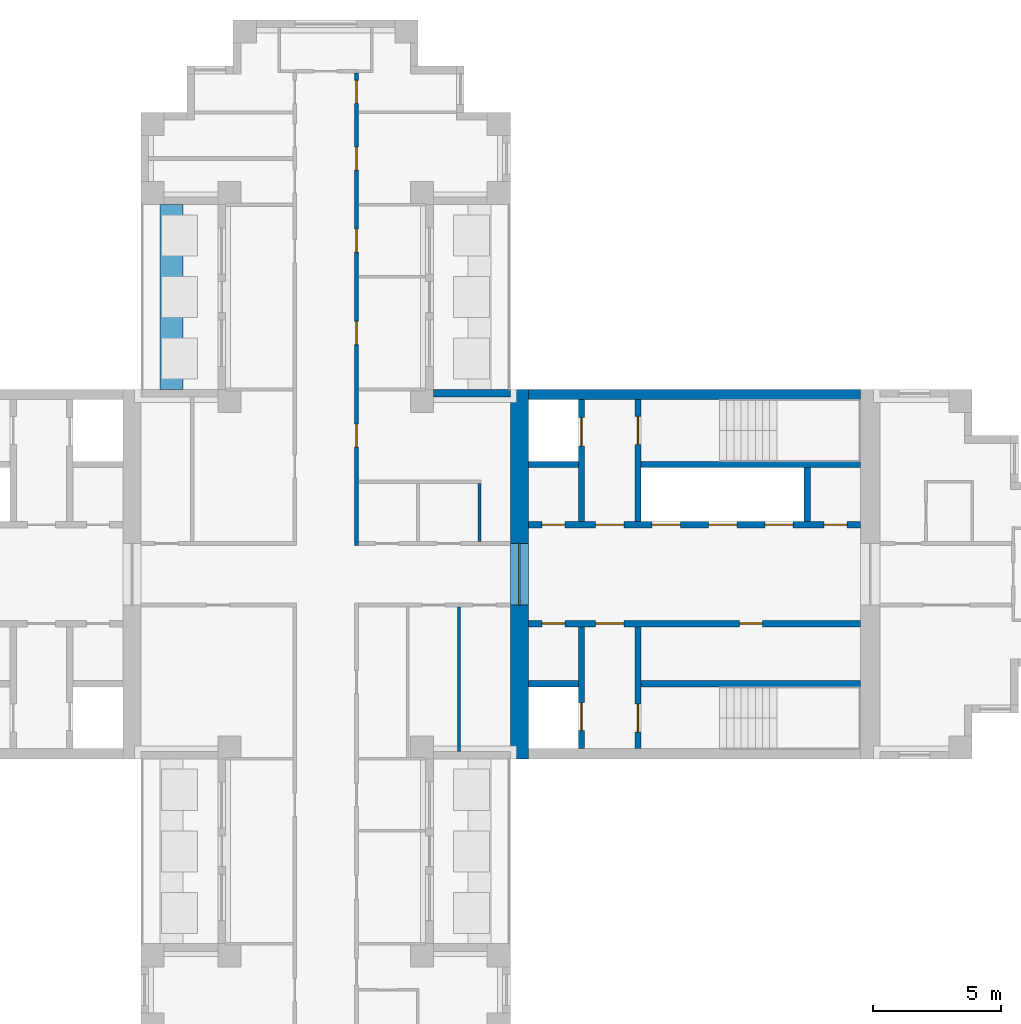
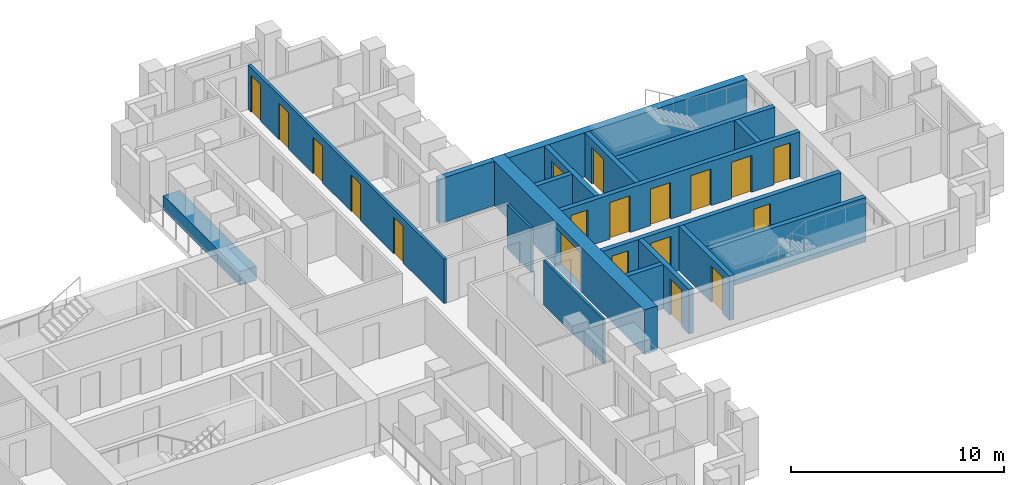
# One storey, part 6 of 10: 19 doors, 18 walls, 19 openings.
"""IFC4 building model written with IfcOpenShell, lengths in metres."""

from ifc_helpers import new_model, si_unit, direction, frame, frame_2d, origin, place, context, subcontext, project, spatial, rectangle, extrude, material, layer, layer_set, type_object, element, fill, save


model = new_model("IFC4")

# Units and contexts
model_context = context("Model", 3, precision=1e-05, world=origin(), true_north=direction((0.0, 1.0)))
body_context = subcontext(model_context, "Body", "Model", "MODEL_VIEW")
ifc_project = project(units=[si_unit("LENGTHUNIT", "METRE"), si_unit("AREAUNIT", "SQUARE_METRE"), si_unit("VOLUMEUNIT", "CUBIC_METRE"), si_unit("PLANEANGLEUNIT", "RADIAN"), si_unit("MASSUNIT", "GRAM", prefix="KILO")], contexts=[model_context])

# Site, building, storey
site_placement = place(None, origin())
site = spatial("IfcSite", under=ifc_project, at=site_placement, CompositionType="ELEMENT")
building_placement = place(site_placement, origin())
building = spatial("IfcBuilding", under=site, at=building_placement, Name="Fustian Cross Tower", CompositionType="ELEMENT")
storey_placement = place(building_placement, frame((0.0, 0.0, 191.699951171875)))
storey = spatial("IfcBuildingStorey", under=building, at=storey_placement, Name="L60", CompositionType="ELEMENT", Elevation=191.699951171875)

# Wall, openings, doors
ifc_material_1 = material(Name="Plasterboard on steel stud", Category="steel")
ifc_layer_1 = layer(ifc_material_1, 0.14990234375)
ifc_layer_set_1 = layer_set([ifc_layer_1], Name="Plasterboard on steel stud")
wall_type_1 = type_object("IfcWallType", Name="COMPARTMENT WALL 150 EI 60", PredefinedType="PARTITIONING", material=ifc_layer_set_1)
wall_1_placement = place(storey_placement, frame((1.199951171875, 1.125, 0.0), z_axis=(0.0, 0.0, 1.0), x_axis=(0.0, 1.0, 0.0)))
wall_1 = element("IfcWall", 1, at=wall_1_placement, inside=storey, type_object=wall_type_1, Name="Partition 39", PredefinedType="PARTITIONING", context=body_context, shape_type="SweptSolid", body=[
    extrude(rectangle(XDim=18.39990234375, YDim=0.14990234375, at=frame_2d((9.199951171875, 0.0))), origin(), (0.0, 0.0, 1.0), 2.550048828125),
])
opening_1_placement = place(wall_1_placement, frame((3.824951171875, 0.0, 0.0)))
opening_1 = element("IfcOpeningElement", 2, at=opening_1_placement, cuts=wall_1, Name="Opening D27003", PredefinedType="OPENING", context=body_context, shape_type="SweptSolid", body=[
    extrude(rectangle(XDim=0.89990234375, YDim=2.10009765625, at=frame_2d((0.449951171875, 1.050048828125))), frame((0.0, 0.0849609375, 0.0), z_axis=(0.0, -1.0, 0.0), x_axis=(1.0, 0.0, 0.0)), (0.0, 0.0, 1.0), 0.169921875),
])
opening_2_placement = place(wall_1_placement, frame((11.425048828125, 0.0, 0.0)))
opening_2 = element("IfcOpeningElement", 3, at=opening_2_placement, cuts=wall_1, Name="Opening D27019", PredefinedType="OPENING", context=body_context, shape_type="SweptSolid", body=[
    extrude(rectangle(XDim=0.89990234375, YDim=2.10009765625, at=frame_2d((0.449951171875, 1.050048828125))), frame((0.0, 0.0849609375, 0.0), z_axis=(0.0, -1.0, 0.0), x_axis=(1.0, 0.0, 0.0)), (0.0, 0.0, 1.0), 0.169921875),
])
opening_3_placement = place(wall_1_placement, frame((7.824951171875, 0.0, 0.0)))
opening_3 = element("IfcOpeningElement", 4, at=opening_3_placement, cuts=wall_1, Name="Opening D27020", PredefinedType="OPENING", context=body_context, shape_type="SweptSolid", body=[
    extrude(rectangle(XDim=0.89990234375, YDim=2.10009765625, at=frame_2d((0.449951171875, 1.050048828125))), frame((0.0, 0.0849609375, 0.0), z_axis=(0.0, -1.0, 0.0), x_axis=(1.0, 0.0, 0.0)), (0.0, 0.0, 1.0), 0.169921875),
])
opening_4_placement = place(wall_1_placement, frame((14.625, 0.0, 0.0)))
opening_4 = element("IfcOpeningElement", 5, at=opening_4_placement, cuts=wall_1, Name="Opening D27021", PredefinedType="OPENING", context=body_context, shape_type="SweptSolid", body=[
    extrude(rectangle(XDim=0.89990234375, YDim=2.10009765625, at=frame_2d((0.449951171875, 1.050048828125))), frame((0.0, 0.0849609375, 0.0), z_axis=(0.0, -1.0, 0.0), x_axis=(1.0, 0.0, 0.0)), (0.0, 0.0, 1.0), 0.169921875),
])
opening_5_placement = place(wall_1_placement, frame((17.22509765625, 0.0, 0.0)))
opening_5 = element("IfcOpeningElement", 6, at=opening_5_placement, cuts=wall_1, Name="Opening D27022", PredefinedType="OPENING", context=body_context, shape_type="SweptSolid", body=[
    extrude(rectangle(XDim=0.89990234375, YDim=2.10009765625, at=frame_2d((0.449951171875, 1.050048828125))), frame((0.0, 0.0849609375, 0.0), z_axis=(0.0, -1.0, 0.0), x_axis=(1.0, 0.0, 0.0)), (0.0, 0.0, 1.0), 0.169921875),
])
ifc_material_2 = material(Name="Timber fire door set", Category="wood")
door_type_1 = type_object("IfcDoorType", Name="FIRE SWING DOOR 900 FD30S", OperationType="SINGLE_SWING_LEFT", PredefinedType="DOOR", material=ifc_material_2)
door_1_placement = place(opening_1_placement, frame((0.89990234375, 0.0, 0.0), z_axis=(0.0, 0.0, 1.0), x_axis=(-1.0, 0.0, 0.0)))
door_1 = element("IfcDoor", 7, at=door_1_placement, inside=storey, type_object=door_type_1, Name="Door D27003", OperationType="SINGLE_SWING_RIGHT", OverallHeight=2.10009765625, OverallWidth=0.89990234375, PredefinedType="DOOR", context=body_context, shape_type="SweptSolid", body=[
    extrude(rectangle(XDim=0.89990234375, YDim=2.10009765625, at=frame_2d((0.449951171875, 1.050048828125))), frame((0.0, 0.02490234375, 0.0), z_axis=(0.0, -1.0, 0.0), x_axis=(1.0, 0.0, 0.0)), (0.0, 0.0, 1.0), 0.050048828125),
])
fill(opening_1, door_1)
door_2_placement = place(opening_2_placement, frame((0.89990234375, 0.0, 0.0), z_axis=(0.0, 0.0, 1.0), x_axis=(-1.0, 0.0, 0.0)))
door_2 = element("IfcDoor", 8, at=door_2_placement, inside=storey, type_object=door_type_1, Name="Door D27019", OperationType="SINGLE_SWING_RIGHT", OverallHeight=2.10009765625, OverallWidth=0.89990234375, PredefinedType="DOOR", context=body_context, shape_type="SweptSolid", body=[
    extrude(rectangle(XDim=0.89990234375, YDim=2.10009765625, at=frame_2d((0.449951171875, 1.050048828125))), frame((0.0, 0.02490234375, 0.0), z_axis=(0.0, -1.0, 0.0), x_axis=(1.0, 0.0, 0.0)), (0.0, 0.0, 1.0), 0.050048828125),
])
fill(opening_2, door_2)
door_3_placement = place(opening_3_placement, frame((0.89990234375, 0.0, 0.0), z_axis=(0.0, 0.0, 1.0), x_axis=(-1.0, 0.0, 0.0)))
door_3 = element("IfcDoor", 9, at=door_3_placement, inside=storey, type_object=door_type_1, Name="Door D27020", OperationType="SINGLE_SWING_RIGHT", OverallHeight=2.10009765625, OverallWidth=0.89990234375, PredefinedType="DOOR", context=body_context, shape_type="SweptSolid", body=[
    extrude(rectangle(XDim=0.89990234375, YDim=2.10009765625, at=frame_2d((0.449951171875, 1.050048828125))), frame((0.0, 0.02490234375, 0.0), z_axis=(0.0, -1.0, 0.0), x_axis=(1.0, 0.0, 0.0)), (0.0, 0.0, 1.0), 0.050048828125),
])
fill(opening_3, door_3)
door_4_placement = place(opening_4_placement, frame((0.89990234375, 0.0, 0.0), z_axis=(0.0, 0.0, 1.0), x_axis=(-1.0, 0.0, 0.0)))
door_4 = element("IfcDoor", 10, at=door_4_placement, inside=storey, type_object=door_type_1, Name="Door D27021", OperationType="SINGLE_SWING_RIGHT", OverallHeight=2.10009765625, OverallWidth=0.89990234375, PredefinedType="DOOR", context=body_context, shape_type="SweptSolid", body=[
    extrude(rectangle(XDim=0.89990234375, YDim=2.10009765625, at=frame_2d((0.449951171875, 1.050048828125))), frame((0.0, 0.02490234375, 0.0), z_axis=(0.0, -1.0, 0.0), x_axis=(1.0, 0.0, 0.0)), (0.0, 0.0, 1.0), 0.050048828125),
])
fill(opening_4, door_4)
door_5_placement = place(opening_5_placement, frame((0.89990234375, 0.0, 0.0), z_axis=(0.0, 0.0, 1.0), x_axis=(-1.0, 0.0, 0.0)))
door_5 = element("IfcDoor", 11, at=door_5_placement, inside=storey, type_object=door_type_1, Name="Door D27022", OperationType="SINGLE_SWING_RIGHT", OverallHeight=2.10009765625, OverallWidth=0.89990234375, PredefinedType="DOOR", context=body_context, shape_type="SweptSolid", body=[
    extrude(rectangle(XDim=0.89990234375, YDim=2.10009765625, at=frame_2d((0.449951171875, 1.050048828125))), frame((0.0, 0.02490234375, 0.0), z_axis=(0.0, -1.0, 0.0), x_axis=(1.0, 0.0, 0.0)), (0.0, 0.0, 1.0), 0.050048828125),
])
fill(opening_5, door_5)

# Wall, opening, door
ifc_material_3 = material(Name="Concrete C50/60", Category="concrete")
ifc_layer_2 = layer(ifc_material_3, 0.699951171875)
ifc_layer_set_2 = layer_set([ifc_layer_2], Name="Concrete C50/60")
wall_type_2 = type_object("IfcWallType", Name="CORE END WALL 700 C50/60", PredefinedType="SHEAR", material=ifc_layer_set_2)
wall_2_placement = place(storey_placement, frame((7.550048828125, -7.199951171875, 0.0), z_axis=(0.0, 0.0, 1.0), x_axis=(0.0, 1.0, 0.0)))
wall_2 = element("IfcWall", 12, at=wall_2_placement, inside=storey, type_object=wall_type_2, Name="Core end wall", PredefinedType="SHEAR", context=body_context, shape_type="SweptSolid", body=[
    extrude(rectangle(XDim=14.39990234375, YDim=0.699951171875, at=frame_2d((7.199951171875, 0.0))), origin(), (0.0, 0.0, 1.0), 2.550048828125),
])
opening_6_placement = place(wall_2_placement, frame((6.0, 0.0, 0.0)))
opening_6 = element("IfcOpeningElement", 13, at=opening_6_placement, cuts=wall_2, Name="Opening CD-25-12", PredefinedType="OPENING", context=body_context, shape_type="SweptSolid", body=[
    extrude(rectangle(XDim=2.39990234375, YDim=2.199951171875, at=frame_2d((1.199951171875, 1.10009765625))), frame((0.0, 0.35986328125, 0.0), z_axis=(0.0, -1.0, 0.0), x_axis=(1.0, 0.0, 0.0)), (0.0, 0.0, 1.0), 0.719970703125),
])
ifc_material_4 = material(Name="Steel", Category="steel")
door_type_2 = type_object("IfcDoorType", Name="FIRE DOOR FD30S DOUBLE 2400X2200", OperationType="DOUBLE_DOOR_DOUBLE_SWING", PredefinedType="DOOR", material=ifc_material_4)
door_6_placement = place(opening_6_placement, frame((2.39990234375, 0.0, 0.0), z_axis=(0.0, 0.0, 1.0), x_axis=(-1.0, 0.0, 0.0)))
door_6 = element("IfcDoor", 14, at=door_6_placement, inside=storey, type_object=door_type_2, Name="Core door CD-25-12", OperationType="DOUBLE_DOOR_DOUBLE_SWING", OverallHeight=2.199951171875, OverallWidth=2.39990234375, PredefinedType="DOOR", context=body_context, shape_type="SweptSolid", body=[
    extrude(rectangle(XDim=2.39990234375, YDim=2.199951171875, at=frame_2d((1.199951171875, 1.10009765625))), frame((0.0, 0.02490234375, 0.0), z_axis=(0.0, -1.0, 0.0), x_axis=(1.0, 0.0, 0.0)), (0.0, 0.0, 1.0), 0.050048828125),
])
fill(opening_6, door_6)

# Wall
ifc_material_5 = material(Name="Concrete C50/60", Category="concrete")
ifc_layer_3 = layer(ifc_material_5, 0.39990234375)
ifc_layer_set_3 = layer_set([ifc_layer_3], Name="Concrete C50/60")
wall_type_3 = type_object("IfcWallType", Name="CORE FACADE WALL 400 C50/60", PredefinedType="SHEAR", material=ifc_layer_set_3)
wall_3_placement = place(storey_placement, frame((7.89990234375, 7.0, 0.0), z_axis=(0.0, 0.0, 1.0), x_axis=(1.0, 0.0, 0.0)))
element("IfcWall", 15, at=wall_3_placement, inside=storey, type_object=wall_type_3, Name="Core facade wall", PredefinedType="SHEAR", context=body_context, shape_type="SweptSolid", body=[
    extrude(rectangle(XDim=12.9501953125, YDim=0.39990234375, at=frame_2d((6.47509765625, 0.0))), origin(), (0.0, 0.0, 1.0), 2.550048828125),
])

# Wall, openings, doors
ifc_material_6 = material(Name="Concrete C50/60", Category="concrete")
ifc_layer_4 = layer(ifc_material_6, 0.25)
ifc_layer_set_4 = layer_set([ifc_layer_4], Name="Concrete C50/60")
wall_type_4 = type_object("IfcWallType", Name="CORE LOBBY WALL 250 C50/60", PredefinedType="SHEAR", material=ifc_layer_set_4)
wall_4_placement = place(storey_placement, frame((7.89990234375, 1.925048828125, 0.0), z_axis=(0.0, 0.0, 1.0), x_axis=(1.0, 0.0, 0.0)))
wall_4 = element("IfcWall", 16, at=wall_4_placement, inside=storey, type_object=wall_type_4, Name="Core lobby wall", PredefinedType="SHEAR", context=body_context, shape_type="SweptSolid", body=[
    extrude(rectangle(XDim=12.9501953125, YDim=0.25, at=frame_2d((6.47509765625, 0.0))), origin(), (0.0, 0.0, 1.0), 2.550048828125),
])
opening_7_placement = place(wall_4_placement, frame((4.824951171875, 0.0, 0.0)))
opening_7 = element("IfcOpeningElement", 17, at=opening_7_placement, cuts=wall_4, Name="Opening LD", PredefinedType="OPENING", context=body_context, shape_type="SweptSolid", body=[
    extrude(rectangle(XDim=1.10009765625, YDim=2.10009765625, at=frame_2d((0.550048828125, 1.050048828125))), frame((0.0, 0.135009765625, 0.0), z_axis=(0.0, -1.0, 0.0), x_axis=(1.0, 0.0, 0.0)), (0.0, 0.0, 1.0), 0.27001953125),
])
opening_8_placement = place(wall_4_placement, frame((7.02490234375, 0.0, 0.0)))
opening_8 = element("IfcOpeningElement", 18, at=opening_8_placement, cuts=wall_4, Name="Opening LD", PredefinedType="OPENING", context=body_context, shape_type="SweptSolid", body=[
    extrude(rectangle(XDim=1.10009765625, YDim=2.10009765625, at=frame_2d((0.550048828125, 1.050048828125))), frame((0.0, 0.135009765625, 0.0), z_axis=(0.0, -1.0, 0.0), x_axis=(1.0, 0.0, 0.0)), (0.0, 0.0, 1.0), 0.27001953125),
])
opening_9_placement = place(wall_4_placement, frame((9.22509765625, 0.0, 0.0)))
opening_9 = element("IfcOpeningElement", 19, at=opening_9_placement, cuts=wall_4, Name="Opening LD", PredefinedType="OPENING", context=body_context, shape_type="SweptSolid", body=[
    extrude(rectangle(XDim=1.10009765625, YDim=2.10009765625, at=frame_2d((0.550048828125, 1.050048828125))), frame((0.0, 0.135009765625, 0.0), z_axis=(0.0, -1.0, 0.0), x_axis=(1.0, 0.0, 0.0)), (0.0, 0.0, 1.0), 0.27001953125),
])
opening_10_placement = place(wall_4_placement, frame((0.52490234375, 0.0, 0.0)))
opening_10 = element("IfcOpeningElement", 20, at=opening_10_placement, cuts=wall_4, Name="Opening CD-25-08", PredefinedType="OPENING", context=body_context, shape_type="SweptSolid", body=[
    extrude(rectangle(XDim=0.89990234375, YDim=2.10009765625, at=frame_2d((0.449951171875, 1.050048828125))), frame((0.0, 0.135009765625, 0.0), z_axis=(0.0, -1.0, 0.0), x_axis=(1.0, 0.0, 0.0)), (0.0, 0.0, 1.0), 0.27001953125),
])
opening_11_placement = place(wall_4_placement, frame((2.625, 0.0, 0.0)))
opening_11 = element("IfcOpeningElement", 21, at=opening_11_placement, cuts=wall_4, Name="Opening CD-25-10", PredefinedType="OPENING", context=body_context, shape_type="SweptSolid", body=[
    extrude(rectangle(XDim=1.10009765625, YDim=2.10009765625, at=frame_2d((0.550048828125, 1.050048828125))), frame((0.0, 0.135009765625, 0.0), z_axis=(0.0, -1.0, 0.0), x_axis=(1.0, 0.0, 0.0)), (0.0, 0.0, 1.0), 0.27001953125),
])
opening_12_placement = place(wall_4_placement, frame((11.52490234375, 0.0, 0.0)))
opening_12 = element("IfcOpeningElement", 22, at=opening_12_placement, cuts=wall_4, Name="Opening CD-25-14", PredefinedType="OPENING", context=body_context, shape_type="SweptSolid", body=[
    extrude(rectangle(XDim=0.89990234375, YDim=2.10009765625, at=frame_2d((0.449951171875, 1.050048828125))), frame((0.0, 0.135009765625, 0.0), z_axis=(0.0, -1.0, 0.0), x_axis=(1.0, 0.0, 0.0)), (0.0, 0.0, 1.0), 0.27001953125),
])
ifc_material_7 = material(Name="Steel", Category="steel")
door_type_3 = type_object("IfcDoorType", Name="FIRE DOOR FD30S 900X2100", OperationType="SINGLE_SWING_LEFT", PredefinedType="DOOR", material=ifc_material_7)
door_7_placement = place(opening_12_placement, origin())
door_7 = element("IfcDoor", 23, at=door_7_placement, inside=storey, type_object=door_type_3, Name="Core door CD-25-14", OperationType="SINGLE_SWING_LEFT", OverallHeight=2.10009765625, OverallWidth=0.89990234375, PredefinedType="DOOR", context=body_context, shape_type="SweptSolid", body=[
    extrude(rectangle(XDim=0.89990234375, YDim=2.10009765625, at=frame_2d((0.449951171875, 1.050048828125))), frame((0.0, 0.02490234375, 0.0), z_axis=(0.0, -1.0, 0.0), x_axis=(1.0, 0.0, 0.0)), (0.0, 0.0, 1.0), 0.050048828125),
])
fill(opening_12, door_7)
ifc_material_8 = material(Name="Steel", Category="steel")
door_type_4 = type_object("IfcDoorType", Name="FIRE DOOR FD60S 1100X2100", OperationType="SINGLE_SWING_LEFT", PredefinedType="DOOR", material=ifc_material_8)
door_8_placement = place(opening_11_placement, frame((1.10009765625, 0.0, 0.0), z_axis=(0.0, 0.0, 1.0), x_axis=(-1.0, 0.0, 0.0)))
door_8 = element("IfcDoor", 24, at=door_8_placement, inside=storey, type_object=door_type_4, Name="Core door CD-25-10", OperationType="SINGLE_SWING_RIGHT", OverallHeight=2.10009765625, OverallWidth=1.10009765625, PredefinedType="DOOR", context=body_context, shape_type="SweptSolid", body=[
    extrude(rectangle(XDim=1.10009765625, YDim=2.10009765625, at=frame_2d((0.550048828125, 1.050048828125))), frame((0.0, 0.02490234375, 0.0), z_axis=(0.0, -1.0, 0.0), x_axis=(1.0, 0.0, 0.0)), (0.0, 0.0, 1.0), 0.050048828125),
])
fill(opening_11, door_8)
ifc_material_9 = material(Name="Steel", Category="steel")
door_type_5 = type_object("IfcDoorType", Name="FIRE DOOR FD60S 900X2100", OperationType="SINGLE_SWING_LEFT", PredefinedType="DOOR", material=ifc_material_9)
door_9_placement = place(opening_10_placement, origin())
door_9 = element("IfcDoor", 25, at=door_9_placement, inside=storey, type_object=door_type_5, Name="Core door CD-25-08", OperationType="SINGLE_SWING_LEFT", OverallHeight=2.10009765625, OverallWidth=0.89990234375, PredefinedType="DOOR", context=body_context, shape_type="SweptSolid", body=[
    extrude(rectangle(XDim=0.89990234375, YDim=2.10009765625, at=frame_2d((0.449951171875, 1.050048828125))), frame((0.0, 0.02490234375, 0.0), z_axis=(0.0, -1.0, 0.0), x_axis=(1.0, 0.0, 0.0)), (0.0, 0.0, 1.0), 0.050048828125),
])
fill(opening_10, door_9)
ifc_material_10 = material(Name="Stainless steel", Category="steel")
door_type_6 = type_object("IfcDoorType", Name="LIFT LANDING DOOR 1100X2100", OperationType="SLIDING_TO_LEFT", PredefinedType="DOOR", material=ifc_material_10)
door_10_placement = place(opening_7_placement, origin())
door_10 = element("IfcDoor", 26, at=door_10_placement, inside=storey, type_object=door_type_6, Name="Landing door HR1", OperationType="SLIDING_TO_LEFT", OverallHeight=2.10009765625, OverallWidth=1.10009765625, PredefinedType="DOOR", context=body_context, shape_type="SweptSolid", body=[
    extrude(rectangle(XDim=1.10009765625, YDim=2.10009765625, at=frame_2d((0.550048828125, 1.050048828125))), frame((0.0, 0.02490234375, 0.0), z_axis=(0.0, -1.0, 0.0), x_axis=(1.0, 0.0, 0.0)), (0.0, 0.0, 1.0), 0.050048828125),
])
fill(opening_7, door_10)
door_11_placement = place(opening_8_placement, origin())
door_11 = element("IfcDoor", 27, at=door_11_placement, inside=storey, type_object=door_type_6, Name="Landing door HR2", OperationType="SLIDING_TO_LEFT", OverallHeight=2.10009765625, OverallWidth=1.10009765625, PredefinedType="DOOR", context=body_context, shape_type="SweptSolid", body=[
    extrude(rectangle(XDim=1.10009765625, YDim=2.10009765625, at=frame_2d((0.550048828125, 1.050048828125))), frame((0.0, 0.02490234375, 0.0), z_axis=(0.0, -1.0, 0.0), x_axis=(1.0, 0.0, 0.0)), (0.0, 0.0, 1.0), 0.050048828125),
])
fill(opening_8, door_11)
door_12_placement = place(opening_9_placement, origin())
door_12 = element("IfcDoor", 28, at=door_12_placement, inside=storey, type_object=door_type_6, Name="Landing door HR3", OperationType="SLIDING_TO_LEFT", OverallHeight=2.10009765625, OverallWidth=1.10009765625, PredefinedType="DOOR", context=body_context, shape_type="SweptSolid", body=[
    extrude(rectangle(XDim=1.10009765625, YDim=2.10009765625, at=frame_2d((0.550048828125, 1.050048828125))), frame((0.0, 0.02490234375, 0.0), z_axis=(0.0, -1.0, 0.0), x_axis=(1.0, 0.0, 0.0)), (0.0, 0.0, 1.0), 0.050048828125),
])
fill(opening_9, door_12)

wall_5_placement = place(storey_placement, frame((7.89990234375, -1.925048828125, 0.0), z_axis=(0.0, 0.0, 1.0), x_axis=(1.0, 0.0, 0.0)))
wall_5 = element("IfcWall", 29, at=wall_5_placement, inside=storey, type_object=wall_type_4, Name="Core lobby wall", PredefinedType="SHEAR", context=body_context, shape_type="SweptSolid", body=[
    extrude(rectangle(XDim=12.9501953125, YDim=0.25, at=frame_2d((6.47509765625, 0.0))), origin(), (0.0, 0.0, 1.0), 2.550048828125),
])
opening_13_placement = place(wall_5_placement, frame((0.52490234375, 0.0, 0.0)))
opening_13 = element("IfcOpeningElement", 30, at=opening_13_placement, cuts=wall_5, Name="Opening CD-25-09", PredefinedType="OPENING", context=body_context, shape_type="SweptSolid", body=[
    extrude(rectangle(XDim=0.89990234375, YDim=2.10009765625, at=frame_2d((0.449951171875, 1.050048828125))), frame((0.0, 0.135009765625, 0.0), z_axis=(0.0, -1.0, 0.0), x_axis=(1.0, 0.0, 0.0)), (0.0, 0.0, 1.0), 0.27001953125),
])
opening_14_placement = place(wall_5_placement, frame((2.625, 0.0, 0.0)))
opening_14 = element("IfcOpeningElement", 31, at=opening_14_placement, cuts=wall_5, Name="Opening CD-25-11", PredefinedType="OPENING", context=body_context, shape_type="SweptSolid", body=[
    extrude(rectangle(XDim=1.10009765625, YDim=2.10009765625, at=frame_2d((0.550048828125, 1.050048828125))), frame((0.0, 0.135009765625, 0.0), z_axis=(0.0, -1.0, 0.0), x_axis=(1.0, 0.0, 0.0)), (0.0, 0.0, 1.0), 0.27001953125),
])
opening_15_placement = place(wall_5_placement, frame((8.22509765625, 0.0, 0.0)))
opening_15 = element("IfcOpeningElement", 32, at=opening_15_placement, cuts=wall_5, Name="Opening CD-25-15", PredefinedType="OPENING", context=body_context, shape_type="SweptSolid", body=[
    extrude(rectangle(XDim=0.89990234375, YDim=2.10009765625, at=frame_2d((0.449951171875, 1.050048828125))), frame((0.0, 0.135009765625, 0.0), z_axis=(0.0, -1.0, 0.0), x_axis=(1.0, 0.0, 0.0)), (0.0, 0.0, 1.0), 0.27001953125),
])
ifc_material_11 = material(Name="Steel", Category="steel")
door_type_7 = type_object("IfcDoorType", Name="FIRE DOOR FD30S 1100X2100", OperationType="SINGLE_SWING_LEFT", PredefinedType="DOOR", material=ifc_material_11)
door_13_placement = place(opening_14_placement, frame((1.10009765625, 0.0, 0.0), z_axis=(0.0, 0.0, 1.0), x_axis=(-1.0, 0.0, 0.0)))
door_13 = element("IfcDoor", 33, at=door_13_placement, inside=storey, type_object=door_type_7, Name="Core door CD-25-11", OperationType="SINGLE_SWING_RIGHT", OverallHeight=2.10009765625, OverallWidth=1.10009765625, PredefinedType="DOOR", context=body_context, shape_type="SweptSolid", body=[
    extrude(rectangle(XDim=1.10009765625, YDim=2.10009765625, at=frame_2d((0.550048828125, 1.050048828125))), frame((0.0, 0.02490234375, 0.0), z_axis=(0.0, -1.0, 0.0), x_axis=(1.0, 0.0, 0.0)), (0.0, 0.0, 1.0), 0.050048828125),
])
fill(opening_14, door_13)
door_14_placement = place(opening_13_placement, frame((0.89990234375, 0.0, 0.0), z_axis=(0.0, 0.0, 1.0), x_axis=(-1.0, 0.0, 0.0)))
door_14 = element("IfcDoor", 34, at=door_14_placement, inside=storey, type_object=door_type_3, Name="Core door CD-25-09", OperationType="SINGLE_SWING_RIGHT", OverallHeight=2.10009765625, OverallWidth=0.89990234375, PredefinedType="DOOR", context=body_context, shape_type="SweptSolid", body=[
    extrude(rectangle(XDim=0.89990234375, YDim=2.10009765625, at=frame_2d((0.449951171875, 1.050048828125))), frame((0.0, 0.02490234375, 0.0), z_axis=(0.0, -1.0, 0.0), x_axis=(1.0, 0.0, 0.0)), (0.0, 0.0, 1.0), 0.050048828125),
])
fill(opening_13, door_14)
door_15_placement = place(opening_15_placement, frame((0.89990234375, 0.0, 0.0), z_axis=(0.0, 0.0, 1.0), x_axis=(-1.0, 0.0, 0.0)))
door_15 = element("IfcDoor", 35, at=door_15_placement, inside=storey, type_object=door_type_3, Name="Core door CD-25-15", OperationType="SINGLE_SWING_LEFT", OverallHeight=2.10009765625, OverallWidth=0.89990234375, PredefinedType="DOOR", context=body_context, shape_type="SweptSolid", body=[
    extrude(rectangle(XDim=0.89990234375, YDim=2.10009765625, at=frame_2d((0.449951171875, 1.050048828125))), frame((0.0, 0.02490234375, 0.0), z_axis=(0.0, -1.0, 0.0), x_axis=(1.0, 0.0, 0.0)), (0.0, 0.0, 1.0), 0.050048828125),
])
fill(opening_15, door_15)

# Walls
ifc_material_12 = material(Name="Concrete C50/60", Category="concrete")
ifc_layer_5 = layer(ifc_material_12, 0.25)
ifc_layer_set_5 = layer_set([ifc_layer_5], Name="Concrete C50/60")
wall_type_5 = type_object("IfcWallType", Name="CORE SHAFT WALL 250 C50/60", PredefinedType="SHEAR", material=ifc_layer_set_5)
wall_6_placement = place(storey_placement, frame((7.89990234375, 4.27490234375, 0.0), z_axis=(0.0, 0.0, 1.0), x_axis=(1.0, 0.0, 0.0)))
element("IfcWall", 36, at=wall_6_placement, inside=storey, type_object=wall_type_5, Name="Core shaft wall", PredefinedType="SHEAR", context=body_context, shape_type="SweptSolid", body=[
    extrude(rectangle(XDim=1.9501953125, YDim=0.25, at=frame_2d((0.97509765625, 0.0))), origin(), (0.0, 0.0, 1.0), 2.550048828125),
])
wall_7_placement = place(storey_placement, frame((12.300048828125, 4.27490234375, 0.0), z_axis=(0.0, 0.0, 1.0), x_axis=(1.0, 0.0, 0.0)))
element("IfcWall", 37, at=wall_7_placement, inside=storey, type_object=wall_type_5, Name="Core shaft wall", PredefinedType="SHEAR", context=body_context, shape_type="SweptSolid", body=[
    extrude(rectangle(XDim=8.550048828125, YDim=0.25, at=frame_2d((4.27490234375, 0.0))), origin(), (0.0, 0.0, 1.0), 2.550048828125),
])

# Wall, opening, door
wall_8_placement = place(storey_placement, frame((9.97509765625, 2.050048828125, 0.0), z_axis=(0.0, 0.0, 1.0), x_axis=(0.0, 1.0, 0.0)))
wall_8 = element("IfcWall", 38, at=wall_8_placement, inside=storey, type_object=wall_type_5, Name="Core shaft wall", PredefinedType="SHEAR", context=body_context, shape_type="SweptSolid", body=[
    extrude(rectangle(XDim=4.75, YDim=0.25, at=frame_2d((2.375, 0.0))), origin(), (0.0, 0.0, 1.0), 2.550048828125),
])
opening_16_placement = place(wall_8_placement, frame((2.949951171875, 0.0, 0.0)))
opening_16 = element("IfcOpeningElement", 39, at=opening_16_placement, cuts=wall_8, Name="Opening LD", PredefinedType="OPENING", context=body_context, shape_type="SweptSolid", body=[
    extrude(rectangle(XDim=1.10009765625, YDim=2.10009765625, at=frame_2d((0.550048828125, 1.050048828125))), frame((0.0, 0.135009765625, 0.0), z_axis=(0.0, -1.0, 0.0), x_axis=(1.0, 0.0, 0.0)), (0.0, 0.0, 1.0), 0.27001953125),
])
door_16_placement = place(opening_16_placement, origin())
door_16 = element("IfcDoor", 40, at=door_16_placement, inside=storey, type_object=door_type_6, Name="Landing door FL1", OperationType="SLIDING_TO_LEFT", OverallHeight=2.10009765625, OverallWidth=1.10009765625, PredefinedType="DOOR", context=body_context, shape_type="SweptSolid", body=[
    extrude(rectangle(XDim=1.10009765625, YDim=2.10009765625, at=frame_2d((0.550048828125, 1.050048828125))), frame((0.0, 0.02490234375, 0.0), z_axis=(0.0, -1.0, 0.0), x_axis=(1.0, 0.0, 0.0)), (0.0, 0.0, 1.0), 0.050048828125),
])
fill(opening_16, door_16)

wall_9_placement = place(storey_placement, frame((12.175048828125, 2.050048828125, 0.0), z_axis=(0.0, 0.0, 1.0), x_axis=(0.0, 1.0, 0.0)))
wall_9 = element("IfcWall", 41, at=wall_9_placement, inside=storey, type_object=wall_type_5, Name="Core shaft wall", PredefinedType="SHEAR", context=body_context, shape_type="SweptSolid", body=[
    extrude(rectangle(XDim=4.75, YDim=0.25, at=frame_2d((2.375, 0.0))), origin(), (0.0, 0.0, 1.0), 2.550048828125),
])
opening_17_placement = place(wall_9_placement, frame((3.0, 0.0, 0.0)))
opening_17 = element("IfcOpeningElement", 42, at=opening_17_placement, cuts=wall_9, Name="Opening CD-25-06", PredefinedType="OPENING", context=body_context, shape_type="SweptSolid", body=[
    extrude(rectangle(XDim=1.10009765625, YDim=2.10009765625, at=frame_2d((0.550048828125, 1.050048828125))), frame((0.0, 0.135009765625, 0.0), z_axis=(0.0, -1.0, 0.0), x_axis=(1.0, 0.0, 0.0)), (0.0, 0.0, 1.0), 0.27001953125),
])
door_17_placement = place(opening_17_placement, frame((1.10009765625, 0.0, 0.0), z_axis=(0.0, 0.0, 1.0), x_axis=(-1.0, 0.0, 0.0)))
door_17 = element("IfcDoor", 43, at=door_17_placement, inside=storey, type_object=door_type_4, Name="Core door CD-25-06", OperationType="SINGLE_SWING_RIGHT", OverallHeight=2.10009765625, OverallWidth=1.10009765625, PredefinedType="DOOR", context=body_context, shape_type="SweptSolid", body=[
    extrude(rectangle(XDim=1.10009765625, YDim=2.10009765625, at=frame_2d((0.550048828125, 1.050048828125))), frame((0.0, 0.02490234375, 0.0), z_axis=(0.0, -1.0, 0.0), x_axis=(1.0, 0.0, 0.0)), (0.0, 0.0, 1.0), 0.050048828125),
])
fill(opening_17, door_17)

# Walls
wall_10_placement = place(storey_placement, frame((7.89990234375, -4.27490234375, 0.0), z_axis=(0.0, 0.0, 1.0), x_axis=(1.0, 0.0, 0.0)))
element("IfcWall", 44, at=wall_10_placement, inside=storey, type_object=wall_type_5, Name="Core shaft wall", PredefinedType="SHEAR", context=body_context, shape_type="SweptSolid", body=[
    extrude(rectangle(XDim=1.9501953125, YDim=0.25, at=frame_2d((0.97509765625, 0.0))), origin(), (0.0, 0.0, 1.0), 2.550048828125),
])
wall_11_placement = place(storey_placement, frame((12.300048828125, -4.27490234375, 0.0), z_axis=(0.0, 0.0, 1.0), x_axis=(1.0, 0.0, 0.0)))
element("IfcWall", 45, at=wall_11_placement, inside=storey, type_object=wall_type_5, Name="Core shaft wall", PredefinedType="SHEAR", context=body_context, shape_type="SweptSolid", body=[
    extrude(rectangle(XDim=8.550048828125, YDim=0.25, at=frame_2d((4.27490234375, 0.0))), origin(), (0.0, 0.0, 1.0), 2.550048828125),
])

# Wall, opening, door
wall_12_placement = place(storey_placement, frame((9.97509765625, -2.050048828125, 0.0), z_axis=(0.0, 0.0, 1.0), x_axis=(0.0, -1.0, 0.0)))
wall_12 = element("IfcWall", 46, at=wall_12_placement, inside=storey, type_object=wall_type_5, Name="Core shaft wall", PredefinedType="SHEAR", context=body_context, shape_type="SweptSolid", body=[
    extrude(rectangle(XDim=4.75, YDim=0.25, at=frame_2d((2.375, 0.0))), origin(), (0.0, 0.0, 1.0), 2.550048828125),
])
opening_18_placement = place(wall_12_placement, frame((2.949951171875, 0.0, 0.0)))
opening_18 = element("IfcOpeningElement", 47, at=opening_18_placement, cuts=wall_12, Name="Opening LD", PredefinedType="OPENING", context=body_context, shape_type="SweptSolid", body=[
    extrude(rectangle(XDim=1.10009765625, YDim=2.10009765625, at=frame_2d((0.550048828125, 1.050048828125))), frame((0.0, 0.135009765625, 0.0), z_axis=(0.0, -1.0, 0.0), x_axis=(1.0, 0.0, 0.0)), (0.0, 0.0, 1.0), 0.27001953125),
])
door_18_placement = place(opening_18_placement, origin())
door_18 = element("IfcDoor", 48, at=door_18_placement, inside=storey, type_object=door_type_6, Name="Landing door SV1", OperationType="SLIDING_TO_LEFT", OverallHeight=2.10009765625, OverallWidth=1.10009765625, PredefinedType="DOOR", context=body_context, shape_type="SweptSolid", body=[
    extrude(rectangle(XDim=1.10009765625, YDim=2.10009765625, at=frame_2d((0.550048828125, 1.050048828125))), frame((0.0, 0.02490234375, 0.0), z_axis=(0.0, -1.0, 0.0), x_axis=(1.0, 0.0, 0.0)), (0.0, 0.0, 1.0), 0.050048828125),
])
fill(opening_18, door_18)

wall_13_placement = place(storey_placement, frame((12.175048828125, -2.050048828125, 0.0), z_axis=(0.0, 0.0, 1.0), x_axis=(0.0, -1.0, 0.0)))
wall_13 = element("IfcWall", 49, at=wall_13_placement, inside=storey, type_object=wall_type_5, Name="Core shaft wall", PredefinedType="SHEAR", context=body_context, shape_type="SweptSolid", body=[
    extrude(rectangle(XDim=4.75, YDim=0.25, at=frame_2d((2.375, 0.0))), origin(), (0.0, 0.0, 1.0), 2.550048828125),
])
opening_19_placement = place(wall_13_placement, frame((3.0, 0.0, 0.0)))
opening_19 = element("IfcOpeningElement", 50, at=opening_19_placement, cuts=wall_13, Name="Opening CD-25-07", PredefinedType="OPENING", context=body_context, shape_type="SweptSolid", body=[
    extrude(rectangle(XDim=1.10009765625, YDim=2.10009765625, at=frame_2d((0.550048828125, 1.050048828125))), frame((0.0, 0.135009765625, 0.0), z_axis=(0.0, -1.0, 0.0), x_axis=(1.0, 0.0, 0.0)), (0.0, 0.0, 1.0), 0.27001953125),
])
door_19_placement = place(opening_19_placement, origin())
door_19 = element("IfcDoor", 51, at=door_19_placement, inside=storey, type_object=door_type_4, Name="Core door CD-25-07", OperationType="SINGLE_SWING_LEFT", OverallHeight=2.10009765625, OverallWidth=1.10009765625, PredefinedType="DOOR", context=body_context, shape_type="SweptSolid", body=[
    extrude(rectangle(XDim=1.10009765625, YDim=2.10009765625, at=frame_2d((0.550048828125, 1.050048828125))), frame((0.0, 0.02490234375, 0.0), z_axis=(0.0, -1.0, 0.0), x_axis=(1.0, 0.0, 0.0)), (0.0, 0.0, 1.0), 0.050048828125),
])
fill(opening_19, door_19)

# Walls
ifc_material_13 = material(Name="Concrete C40/50", Category="concrete")
ifc_layer_6 = layer(ifc_material_13, 0.89990234375)
ifc_layer_set_6 = layer_set([ifc_layer_6], Name="Concrete C40/50")
wall_type_6 = type_object("IfcWallType", Name="PK1 PLANTER 900", PredefinedType="PARAPET", material=ifc_layer_set_6)
wall_14_placement = place(storey_placement, frame((-6.0, 7.199951171875, 0.0), z_axis=(0.0, 0.0, 1.0), x_axis=(0.0, 1.0, 0.0)))
element("IfcWall", 52, at=wall_14_placement, inside=storey, type_object=wall_type_6, Name="PLANTER", PredefinedType="PARAPET", context=body_context, shape_type="SweptSolid", body=[
    extrude(rectangle(XDim=7.199951171875, YDim=0.89990234375, at=frame_2d((3.60009765625, 0.0))), origin(), (0.0, 0.0, 1.0), 0.800048828125),
])
ifc_material_14 = material(Name="Concrete C40/50", Category="concrete")
ifc_layer_7 = layer(ifc_material_14, 0.25)
ifc_layer_set_7 = layer_set([ifc_layer_7], Name="Concrete C40/50")
wall_type_7 = type_object("IfcWallType", Name="SHAFT PARTITION WALL 250 C40/50", PredefinedType="PARTITIONING", material=ifc_layer_set_7)
wall_15_placement = place(storey_placement, frame((18.77490234375, 2.050048828125, 0.0), z_axis=(0.0, 0.0, 1.0), x_axis=(0.0, 1.0, 0.0)))
element("IfcWall", 53, at=wall_15_placement, inside=storey, type_object=wall_type_7, Name="Core shaft wall", PredefinedType="PARTITIONING", context=body_context, shape_type="SweptSolid", body=[
    extrude(rectangle(XDim=2.099853515625, YDim=0.25, at=frame_2d((1.0498046875, 0.0))), origin(), (0.0, 0.0, 1.0), 2.550048828125),
])
ifc_material_15 = material(Name="Plasterboard on steel stud", Category="steel")
ifc_layer_8 = layer(ifc_material_15, 0.125)
ifc_layer_set_8 = layer_set([ifc_layer_8], Name="Plasterboard on steel stud")
wall_type_8 = type_object("IfcWallType", Name="WET WALL 125 STUD", PredefinedType="PARTITIONING", material=ifc_layer_set_8)
wall_16_placement = place(storey_placement, frame((5.199951171875, -6.89990234375, 0.0), z_axis=(0.0, 0.0, 1.0), x_axis=(0.0, 1.0, 0.0)))
element("IfcWall", 54, at=wall_16_placement, inside=storey, type_object=wall_type_8, Name="Partition 52", PredefinedType="PARTITIONING", context=body_context, shape_type="SweptSolid", body=[
    extrude(rectangle(XDim=5.625, YDim=0.125, at=frame_2d((2.8125, 0.0))), origin(), (0.0, 0.0, 1.0), 2.550048828125),
])
wall_17_placement = place(storey_placement, frame((6.0, 1.27490234375, 0.0), z_axis=(0.0, 0.0, 1.0), x_axis=(0.0, 1.0, 0.0)))
element("IfcWall", 55, at=wall_17_placement, inside=storey, type_object=wall_type_8, Name="Partition 53", PredefinedType="PARTITIONING", context=body_context, shape_type="SweptSolid", body=[
    extrude(rectangle(XDim=2.2626953125, YDim=0.125, at=frame_2d((1.13134765625, 0.0))), origin(), (0.0, 0.0, 1.0), 2.550048828125),
])
ifc_material_16 = material(Name="Dark aluminium cladding on insulated backing wall", Category="aluminium")
ifc_layer_9 = layer(ifc_material_16, 0.300048828125)
ifc_layer_set_9 = layer_set([ifc_layer_9], Name="Dark aluminium cladding on insulated backing wall")
wall_type_9 = type_object("IfcWallType", Name="XW1 EXTERNAL WALL 300", PredefinedType="SOLIDWALL", material=ifc_layer_set_9)
wall_18_placement = place(storey_placement, frame((7.199951171875, 7.050048828125, 0.0), z_axis=(0.0, 0.0, 1.0), x_axis=(-1.0, 0.0, 0.0)))
element("IfcWall", 56, at=wall_18_placement, inside=storey, type_object=wall_type_9, Name="External wall", PredefinedType="SOLIDWALL", context=body_context, shape_type="SweptSolid", body=[
    extrude(rectangle(XDim=3.0, YDim=0.300048828125, at=frame_2d((1.5, 0.0))), origin(), (0.0, 0.0, 1.0), 2.550048828125),
])

save(model, "model.ifc")
